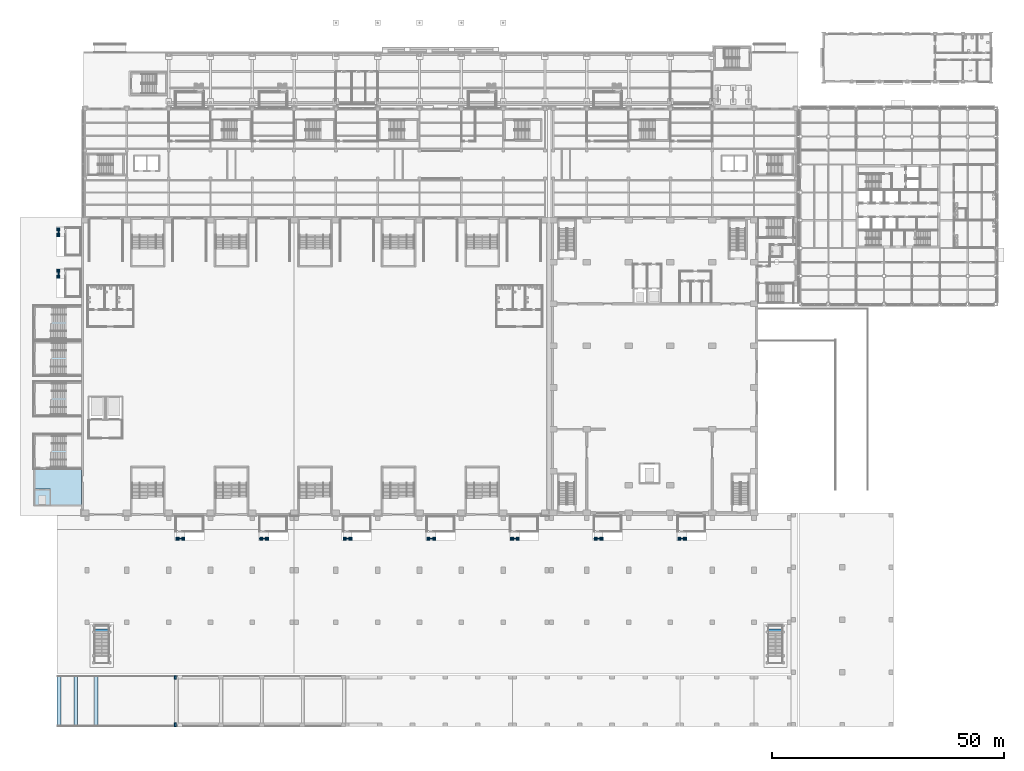
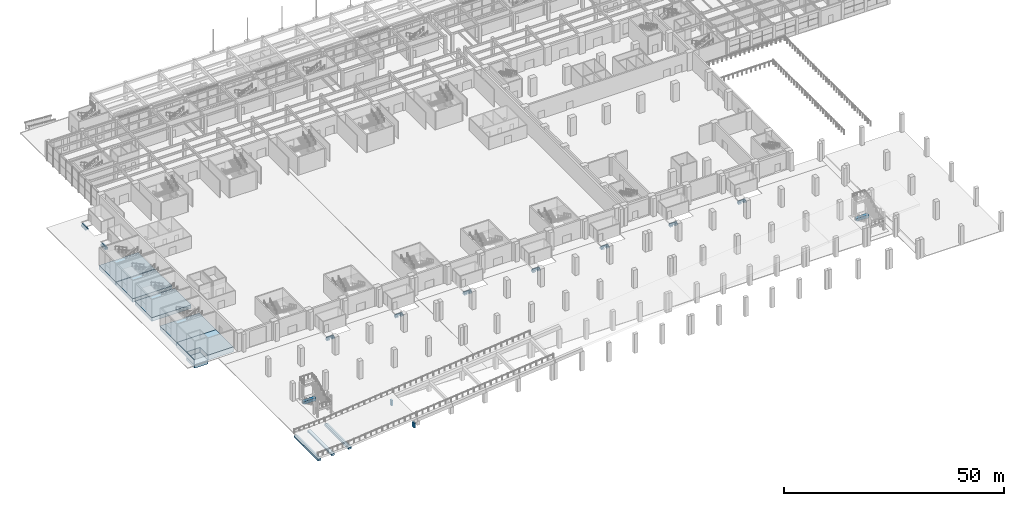
# One storey, part 1 of 77: 40 footings.
"""IFC4 building model written with IfcOpenShell, lengths in metres."""

from ifc_helpers import new_model, si_unit, direction, frame, origin, origin_2d, place, context, subcontext, project, spatial, polyline, rectangle, outline, extrude, material, layer, layer_set, type_object, element, save


model = new_model("IFC4")

# Units and contexts
model_context = context("Model", 3, precision=1e-05, world=origin(), true_north=direction((0.0, 1.0)))
body_context = subcontext(model_context, "Body", "Model", "MODEL_VIEW")
ifc_project = project(units=[si_unit("LENGTHUNIT", "METRE"), si_unit("AREAUNIT", "SQUARE_METRE"), si_unit("VOLUMEUNIT", "CUBIC_METRE"), si_unit("PLANEANGLEUNIT", "RADIAN"), si_unit("MASSUNIT", "GRAM", prefix="KILO")], contexts=[model_context])

# Site, building, storey
site_placement = place(None, origin())
site = spatial("IfcSite", under=ifc_project, at=site_placement, CompositionType="ELEMENT")
building_placement = place(site_placement, origin())
building = spatial("IfcBuilding", under=site, at=building_placement, Name="Aravalli Gate Trade Fair Centre", CompositionType="ELEMENT")
storey_placement = place(building_placement, origin())
storey = spatial("IfcBuildingStorey", under=building, at=storey_placement, Name="L00", CompositionType="ELEMENT", Elevation=0.0)

# Footings
ifc_material_1 = material(Name="Concrete M30", Category="concrete")
ifc_layer_1 = layer(ifc_material_1, 0.39990234375)
ifc_layer_set_1 = layer_set([ifc_layer_1], Name="Concrete M30")
footing_type_1 = type_object("IfcFootingType", Name="Basement exit apron edge beam 300", PredefinedType="FOOTING_BEAM", material=ifc_layer_set_1)
footing_1_placement = place(storey_placement, frame((0.0, 0.0, -0.60009765625)))
element("IfcFooting", 1, at=footing_1_placement, inside=storey, type_object=footing_type_1, Name="Basement stair W1 exit apron edge beam", PredefinedType="FOOTING_BEAM", context=body_context, shape_type="SweptSolid", body=[
    extrude(outline(polyline([(0.39990234375, 98.449951171875), (0.39990234375, 96.5), (0.10009765625, 96.5), (0.10009765625, 98.449951171875), (0.39990234375, 98.449951171875)])), origin(), (0.0, 0.0, 1.0), 0.400146484375),
])
footing_2_placement = place(storey_placement, frame((0.0, 0.0, -0.60009765625)))
element("IfcFooting", 2, at=footing_2_placement, inside=storey, type_object=footing_type_1, Name="Basement stair W2 exit apron edge beam", PredefinedType="FOOTING_BEAM", context=body_context, shape_type="SweptSolid", body=[
    extrude(outline(polyline([(0.39990234375, 107.39990234375), (0.39990234375, 105.449951171875), (0.10009765625, 105.449951171875), (0.10009765625, 107.39990234375), (0.39990234375, 107.39990234375)])), origin(), (0.0, 0.0, 1.0), 0.400146484375),
])
footing_3_placement = place(storey_placement, frame((0.0, 0.0, -0.60009765625)))
element("IfcFooting", 3, at=footing_3_placement, inside=storey, type_object=footing_type_1, Name="Basement stair S1 exit apron edge beam", PredefinedType="FOOTING_BEAM", context=body_context, shape_type="SweptSolid", body=[
    extrude(outline(polyline([(25.550048828125, 40.60009765625), (27.5, 40.60009765625), (27.5, 40.300048828125), (25.550048828125, 40.300048828125), (25.550048828125, 40.60009765625)])), origin(), (0.0, 0.0, 1.0), 0.400146484375),
])
footing_4_placement = place(storey_placement, frame((0.0, 0.0, -0.60009765625)))
element("IfcFooting", 4, at=footing_4_placement, inside=storey, type_object=footing_type_1, Name="Basement stair S2 exit apron edge beam", PredefinedType="FOOTING_BEAM", context=body_context, shape_type="SweptSolid", body=[
    extrude(outline(polyline([(43.550048828125, 40.60009765625), (45.5, 40.60009765625), (45.5, 40.300048828125), (43.550048828125, 40.300048828125), (43.550048828125, 40.60009765625)])), origin(), (0.0, 0.0, 1.0), 0.400146484375),
])
footing_5_placement = place(storey_placement, frame((0.0, 0.0, -0.60009765625)))
element("IfcFooting", 5, at=footing_5_placement, inside=storey, type_object=footing_type_1, Name="Basement stair S3 exit apron edge beam", PredefinedType="FOOTING_BEAM", context=body_context, shape_type="SweptSolid", body=[
    extrude(outline(polyline([(61.550048828125, 40.60009765625), (63.5, 40.60009765625), (63.5, 40.300048828125), (61.550048828125, 40.300048828125), (61.550048828125, 40.60009765625)])), origin(), (0.0, 0.0, 1.0), 0.400146484375),
])
footing_6_placement = place(storey_placement, frame((0.0, 0.0, -0.60009765625)))
element("IfcFooting", 6, at=footing_6_placement, inside=storey, type_object=footing_type_1, Name="Basement stair S4 exit apron edge beam", PredefinedType="FOOTING_BEAM", context=body_context, shape_type="SweptSolid", body=[
    extrude(outline(polyline([(79.550048828125, 40.60009765625), (81.5, 40.60009765625), (81.5, 40.300048828125), (79.550048828125, 40.300048828125), (79.550048828125, 40.60009765625)])), origin(), (0.0, 0.0, 1.0), 0.400146484375),
])
footing_7_placement = place(storey_placement, frame((0.0, 0.0, -0.60009765625)))
element("IfcFooting", 7, at=footing_7_placement, inside=storey, type_object=footing_type_1, Name="Basement stair S5 exit apron edge beam", PredefinedType="FOOTING_BEAM", context=body_context, shape_type="SweptSolid", body=[
    extrude(outline(polyline([(97.550048828125, 40.60009765625), (99.5, 40.60009765625), (99.5, 40.300048828125), (97.550048828125, 40.300048828125), (97.550048828125, 40.60009765625)])), origin(), (0.0, 0.0, 1.0), 0.400146484375),
])
footing_8_placement = place(storey_placement, frame((0.0, 0.0, -0.60009765625)))
element("IfcFooting", 8, at=footing_8_placement, inside=storey, type_object=footing_type_1, Name="Basement stair S6 exit apron edge beam", PredefinedType="FOOTING_BEAM", context=body_context, shape_type="SweptSolid", body=[
    extrude(outline(polyline([(115.550048828125, 40.60009765625), (117.5, 40.60009765625), (117.5, 40.300048828125), (115.550048828125, 40.300048828125), (115.550048828125, 40.60009765625)])), origin(), (0.0, 0.0, 1.0), 0.400146484375),
])
footing_9_placement = place(storey_placement, frame((0.0, 0.0, -0.60009765625)))
element("IfcFooting", 9, at=footing_9_placement, inside=storey, type_object=footing_type_1, Name="Basement stair S7 exit apron edge beam", PredefinedType="FOOTING_BEAM", context=body_context, shape_type="SweptSolid", body=[
    extrude(outline(polyline([(133.550048828125, 40.60009765625), (135.5, 40.60009765625), (135.5, 40.300048828125), (133.550048828125, 40.300048828125), (133.550048828125, 40.60009765625)])), origin(), (0.0, 0.0, 1.0), 0.400146484375),
])
footing_type_2 = type_object("IfcFootingType", Name="Basement exit apron pad 800", PredefinedType="PAD_FOOTING", material=ifc_material_1)
footing_10_placement = place(storey_placement, frame((0.0, 0.0, -1.0)))
element("IfcFooting", 10, at=footing_10_placement, inside=storey, type_object=footing_type_2, Name="Basement stair W1 exit apron pad a", PredefinedType="PAD_FOOTING", context=body_context, shape_type="SweptSolid", body=[
    extrude(outline(polyline([(0.64990234375, 98.5), (0.64990234375, 97.699951171875), (-0.14990234375, 97.699951171875), (-0.14990234375, 98.5), (0.64990234375, 98.5)])), origin(), (0.0, 0.0, 1.0), 0.39990234375),
])
footing_11_placement = place(storey_placement, frame((0.0, 0.0, -1.0)))
element("IfcFooting", 11, at=footing_11_placement, inside=storey, type_object=footing_type_2, Name="Basement stair W1 exit apron pad b", PredefinedType="PAD_FOOTING", context=body_context, shape_type="SweptSolid", body=[
    extrude(outline(polyline([(0.64990234375, 97.25), (0.64990234375, 96.449951171875), (-0.14990234375, 96.449951171875), (-0.14990234375, 97.25), (0.64990234375, 97.25)])), origin(), (0.0, 0.0, 1.0), 0.39990234375),
])
footing_12_placement = place(storey_placement, frame((0.0, 0.0, -1.0)))
element("IfcFooting", 12, at=footing_12_placement, inside=storey, type_object=footing_type_2, Name="Basement stair W2 exit apron pad a", PredefinedType="PAD_FOOTING", context=body_context, shape_type="SweptSolid", body=[
    extrude(outline(polyline([(0.64990234375, 107.449951171875), (0.64990234375, 106.64990234375), (-0.14990234375, 106.64990234375), (-0.14990234375, 107.449951171875), (0.64990234375, 107.449951171875)])), origin(), (0.0, 0.0, 1.0), 0.39990234375),
])
footing_13_placement = place(storey_placement, frame((0.0, 0.0, -1.0)))
element("IfcFooting", 13, at=footing_13_placement, inside=storey, type_object=footing_type_2, Name="Basement stair W2 exit apron pad b", PredefinedType="PAD_FOOTING", context=body_context, shape_type="SweptSolid", body=[
    extrude(outline(polyline([(0.64990234375, 106.199951171875), (0.64990234375, 105.39990234375), (-0.14990234375, 105.39990234375), (-0.14990234375, 106.199951171875), (0.64990234375, 106.199951171875)])), origin(), (0.0, 0.0, 1.0), 0.39990234375),
])
footing_14_placement = place(storey_placement, frame((0.0, 0.0, -1.0)))
element("IfcFooting", 14, at=footing_14_placement, inside=storey, type_object=footing_type_2, Name="Basement stair S1 exit apron pad a", PredefinedType="PAD_FOOTING", context=body_context, shape_type="SweptSolid", body=[
    extrude(outline(polyline([(25.5, 40.85009765625), (26.300048828125, 40.85009765625), (26.300048828125, 40.050048828125), (25.5, 40.050048828125), (25.5, 40.85009765625)])), origin(), (0.0, 0.0, 1.0), 0.39990234375),
])
footing_15_placement = place(storey_placement, frame((0.0, 0.0, -1.0)))
element("IfcFooting", 15, at=footing_15_placement, inside=storey, type_object=footing_type_2, Name="Basement stair S1 exit apron pad b", PredefinedType="PAD_FOOTING", context=body_context, shape_type="SweptSolid", body=[
    extrude(outline(polyline([(26.75, 40.85009765625), (27.550048828125, 40.85009765625), (27.550048828125, 40.050048828125), (26.75, 40.050048828125), (26.75, 40.85009765625)])), origin(), (0.0, 0.0, 1.0), 0.39990234375),
])
footing_16_placement = place(storey_placement, frame((0.0, 0.0, -1.0)))
element("IfcFooting", 16, at=footing_16_placement, inside=storey, type_object=footing_type_2, Name="Basement stair S2 exit apron pad a", PredefinedType="PAD_FOOTING", context=body_context, shape_type="SweptSolid", body=[
    extrude(outline(polyline([(43.5, 40.85009765625), (44.300048828125, 40.85009765625), (44.300048828125, 40.050048828125), (43.5, 40.050048828125), (43.5, 40.85009765625)])), origin(), (0.0, 0.0, 1.0), 0.39990234375),
])
footing_17_placement = place(storey_placement, frame((0.0, 0.0, -1.0)))
element("IfcFooting", 17, at=footing_17_placement, inside=storey, type_object=footing_type_2, Name="Basement stair S2 exit apron pad b", PredefinedType="PAD_FOOTING", context=body_context, shape_type="SweptSolid", body=[
    extrude(outline(polyline([(44.75, 40.85009765625), (45.550048828125, 40.85009765625), (45.550048828125, 40.050048828125), (44.75, 40.050048828125), (44.75, 40.85009765625)])), origin(), (0.0, 0.0, 1.0), 0.39990234375),
])
footing_18_placement = place(storey_placement, frame((0.0, 0.0, -1.0)))
element("IfcFooting", 18, at=footing_18_placement, inside=storey, type_object=footing_type_2, Name="Basement stair S3 exit apron pad a", PredefinedType="PAD_FOOTING", context=body_context, shape_type="SweptSolid", body=[
    extrude(outline(polyline([(61.5, 40.85009765625), (62.300048828125, 40.85009765625), (62.300048828125, 40.050048828125), (61.5, 40.050048828125), (61.5, 40.85009765625)])), origin(), (0.0, 0.0, 1.0), 0.39990234375),
])
footing_19_placement = place(storey_placement, frame((0.0, 0.0, -1.0)))
element("IfcFooting", 19, at=footing_19_placement, inside=storey, type_object=footing_type_2, Name="Basement stair S3 exit apron pad b", PredefinedType="PAD_FOOTING", context=body_context, shape_type="SweptSolid", body=[
    extrude(outline(polyline([(62.75, 40.85009765625), (63.550048828125, 40.85009765625), (63.550048828125, 40.050048828125), (62.75, 40.050048828125), (62.75, 40.85009765625)])), origin(), (0.0, 0.0, 1.0), 0.39990234375),
])
footing_20_placement = place(storey_placement, frame((0.0, 0.0, -1.0)))
element("IfcFooting", 20, at=footing_20_placement, inside=storey, type_object=footing_type_2, Name="Basement stair S4 exit apron pad a", PredefinedType="PAD_FOOTING", context=body_context, shape_type="SweptSolid", body=[
    extrude(outline(polyline([(79.5, 40.85009765625), (80.300048828125, 40.85009765625), (80.300048828125, 40.050048828125), (79.5, 40.050048828125), (79.5, 40.85009765625)])), origin(), (0.0, 0.0, 1.0), 0.39990234375),
])
footing_21_placement = place(storey_placement, frame((0.0, 0.0, -1.0)))
element("IfcFooting", 21, at=footing_21_placement, inside=storey, type_object=footing_type_2, Name="Basement stair S4 exit apron pad b", PredefinedType="PAD_FOOTING", context=body_context, shape_type="SweptSolid", body=[
    extrude(outline(polyline([(80.75, 40.85009765625), (81.550048828125, 40.85009765625), (81.550048828125, 40.050048828125), (80.75, 40.050048828125), (80.75, 40.85009765625)])), origin(), (0.0, 0.0, 1.0), 0.39990234375),
])
footing_22_placement = place(storey_placement, frame((0.0, 0.0, -1.0)))
element("IfcFooting", 22, at=footing_22_placement, inside=storey, type_object=footing_type_2, Name="Basement stair S5 exit apron pad a", PredefinedType="PAD_FOOTING", context=body_context, shape_type="SweptSolid", body=[
    extrude(outline(polyline([(97.5, 40.85009765625), (98.300048828125, 40.85009765625), (98.300048828125, 40.050048828125), (97.5, 40.050048828125), (97.5, 40.85009765625)])), origin(), (0.0, 0.0, 1.0), 0.39990234375),
])
footing_23_placement = place(storey_placement, frame((0.0, 0.0, -1.0)))
element("IfcFooting", 23, at=footing_23_placement, inside=storey, type_object=footing_type_2, Name="Basement stair S5 exit apron pad b", PredefinedType="PAD_FOOTING", context=body_context, shape_type="SweptSolid", body=[
    extrude(outline(polyline([(98.75, 40.85009765625), (99.550048828125, 40.85009765625), (99.550048828125, 40.050048828125), (98.75, 40.050048828125), (98.75, 40.85009765625)])), origin(), (0.0, 0.0, 1.0), 0.39990234375),
])
footing_24_placement = place(storey_placement, frame((0.0, 0.0, -1.0)))
element("IfcFooting", 24, at=footing_24_placement, inside=storey, type_object=footing_type_2, Name="Basement stair S6 exit apron pad a", PredefinedType="PAD_FOOTING", context=body_context, shape_type="SweptSolid", body=[
    extrude(outline(polyline([(115.5, 40.85009765625), (116.300048828125, 40.85009765625), (116.300048828125, 40.050048828125), (115.5, 40.050048828125), (115.5, 40.85009765625)])), origin(), (0.0, 0.0, 1.0), 0.39990234375),
])
footing_25_placement = place(storey_placement, frame((0.0, 0.0, -1.0)))
element("IfcFooting", 25, at=footing_25_placement, inside=storey, type_object=footing_type_2, Name="Basement stair S6 exit apron pad b", PredefinedType="PAD_FOOTING", context=body_context, shape_type="SweptSolid", body=[
    extrude(outline(polyline([(116.75, 40.85009765625), (117.550048828125, 40.85009765625), (117.550048828125, 40.050048828125), (116.75, 40.050048828125), (116.75, 40.85009765625)])), origin(), (0.0, 0.0, 1.0), 0.39990234375),
])
footing_26_placement = place(storey_placement, frame((0.0, 0.0, -1.0)))
element("IfcFooting", 26, at=footing_26_placement, inside=storey, type_object=footing_type_2, Name="Basement stair S7 exit apron pad a", PredefinedType="PAD_FOOTING", context=body_context, shape_type="SweptSolid", body=[
    extrude(outline(polyline([(133.5, 40.85009765625), (134.300048828125, 40.85009765625), (134.300048828125, 40.050048828125), (133.5, 40.050048828125), (133.5, 40.85009765625)])), origin(), (0.0, 0.0, 1.0), 0.39990234375),
])
footing_27_placement = place(storey_placement, frame((0.0, 0.0, -1.0)))
element("IfcFooting", 27, at=footing_27_placement, inside=storey, type_object=footing_type_2, Name="Basement stair S7 exit apron pad b", PredefinedType="PAD_FOOTING", context=body_context, shape_type="SweptSolid", body=[
    extrude(outline(polyline([(134.75, 40.85009765625), (135.550048828125, 40.85009765625), (135.550048828125, 40.050048828125), (134.75, 40.050048828125), (134.75, 40.85009765625)])), origin(), (0.0, 0.0, 1.0), 0.39990234375),
])
ifc_material_2 = material(Name="Concrete M40", Category="concrete")
ifc_layer_2 = layer(ifc_material_2, 1.39990234375)
ifc_layer_set_2 = layer_set([ifc_layer_2], Name="Concrete M40")
footing_type_3 = type_object("IfcFootingType", Name="Firefighting block raft RC 1400", PredefinedType="PAD_FOOTING", material=ifc_layer_set_2)
footing_28_placement = place(storey_placement, frame((0.0, 0.0, -1.39990234375)))
element("IfcFooting", 28, at=footing_28_placement, inside=storey, type_object=footing_type_3, Name="Firefighting block raft footing", PredefinedType="PAD_FOOTING", context=body_context, shape_type="SweptSolid", body=[
    extrude(outline(polyline([(-5.10009765625, 47.5), (-5.10009765625, 55.39990234375), (5.199951171875, 55.39990234375), (5.199951171875, 47.5), (-1.39990234375, 47.5), (-1.39990234375, 51.10009765625), (-5.0, 51.10009765625), (-5.0, 47.5), (-5.10009765625, 47.5)])), origin(), (0.0, 0.0, 1.0), 1.39990234375),
])
ifc_layer_3 = layer(ifc_material_2, 1.0)
ifc_layer_set_3 = layer_set([ifc_layer_3], Name="Concrete M40")
footing_type_4 = type_object("IfcFootingType", Name="Firefighting lift pit raft RC 1000", PredefinedType="PAD_FOOTING", material=ifc_layer_set_3)
footing_29_placement = place(storey_placement, frame((0.0, 0.0, -2.39990234375)))
element("IfcFooting", 29, at=footing_29_placement, inside=storey, type_object=footing_type_4, Name="Firefighting lift pit raft", PredefinedType="PAD_FOOTING", context=body_context, shape_type="SweptSolid", body=[
    extrude(outline(polyline([(-5.0, 47.5), (-1.39990234375, 47.5), (-1.39990234375, 51.10009765625), (-5.0, 51.10009765625), (-5.0, 47.5)])), origin(), (0.0, 0.0, 1.0), 1.0),
])
footing_type_5 = type_object("IfcFootingType", Name="Ramp end pad RC 400 x 800", PredefinedType="PAD_FOOTING", material=ifc_material_2)
for number, where, z_axis, x_axis, name in (
    (30, (25.3798828125, 0.39990234375, -0.7998046875), (0.0, 0.0, 1.0), (1.0, 0.0, 0.0), "Ramp end pad RA1-F2.1 ES"),
    (31, (25.3798828125, 10.60009765625, -0.7998046875), (0.0, 0.0, 1.0), (1.0, 0.0, 0.0), "Ramp end pad RA1-F2.1 EN"),
):
    element("IfcFooting", number, at=place(storey_placement, frame(where, z_axis=z_axis, x_axis=x_axis)), inside=storey, type_object=footing_type_5, Name=name, PredefinedType="PAD_FOOTING", context=body_context, shape_type="SweptSolid", body=[
        extrude(rectangle(XDim=0.39990234375, YDim=0.800048828125, at=origin_2d()), origin(), (0.0, 0.0, 1.0), 1.410400390625),
    ])
footing_type_6 = type_object("IfcFootingType", Name="Ramp plinth footing RC 800 x 500", PredefinedType="STRIP_FOOTING", material=ifc_material_2)
for number, where, z_axis, x_axis, name in (
    (32, (0.39990234375, 5.5, -1.1005859375), (0.0, 0.0, 1.0), (1.0, 0.0, 0.0), "Ramp plinth RA1-F1 W"),
    (33, (3.989990234375, 5.5, -0.921142578125), (0.0, 0.0, 1.0), (1.0, 0.0, 0.0), "Ramp plinth RA1-F1 M"),
    (34, (8.419921875, 5.5, -0.700927734375), (0.0, 0.0, 1.0), (1.0, 0.0, 0.0), "Ramp plinth RA1-F2.1 W"),
):
    element("IfcFooting", number, at=place(storey_placement, frame(where, z_axis=z_axis, x_axis=x_axis)), inside=storey, type_object=footing_type_6, Name=name, PredefinedType="STRIP_FOOTING", context=body_context, shape_type="SweptSolid", body=[
        extrude(rectangle(XDim=0.800048828125, YDim=11.0, at=origin_2d()), origin(), (0.0, 0.0, 1.0), 0.5),
    ])
for number, where, z_axis, x_axis, name in (
    (35, (9.60009765625, 20.60009765625, -0.4501953125), (0.0, 0.0, 1.0), (1.0, 0.0, 0.0), "Stair 1 foot plinth"),
    (36, (154.60009765625, 20.60009765625, -0.4501953125), (0.0, 0.0, 1.0), (1.0, 0.0, 0.0), "Stair 2 foot plinth"),
):
    element("IfcFooting", number, at=place(storey_placement, frame(where, z_axis=z_axis, x_axis=x_axis)), inside=storey, type_object=footing_type_6, Name=name, PredefinedType="STRIP_FOOTING", context=body_context, shape_type="SweptSolid", body=[
        extrude(rectangle(XDim=3.199951171875, YDim=0.800048828125, at=origin_2d()), origin(), (0.0, 0.0, 1.0), 0.800048828125),
    ])
ifc_layer_4 = layer(ifc_material_2, 1.0)
ifc_layer_set_4 = layer_set([ifc_layer_4], Name="Concrete M40")
footing_type_7 = type_object("IfcFootingType", Name="Tower raft footing RC 1000", PredefinedType="PAD_FOOTING", material=ifc_layer_set_4)
footing_30_placement = place(storey_placement, frame((0.0, 0.0, -1.0)))
element("IfcFooting", 37, at=footing_30_placement, inside=storey, type_object=footing_type_7, Name="Stair tower W1 raft footing", PredefinedType="PAD_FOOTING", context=body_context, shape_type="SweptSolid", body=[
    extrude(outline(polyline([(5.199951171875, 55.39990234375), (5.199951171875, 63.0), (-5.10009765625, 63.0), (-5.10009765625, 55.39990234375), (5.199951171875, 55.39990234375)])), origin(), (0.0, 0.0, 1.0), 1.0),
])
footing_31_placement = place(storey_placement, frame((0.0, 0.0, -1.0)))
element("IfcFooting", 38, at=footing_31_placement, inside=storey, type_object=footing_type_7, Name="Stair tower W2 raft footing", PredefinedType="PAD_FOOTING", context=body_context, shape_type="SweptSolid", body=[
    extrude(outline(polyline([(5.199951171875, 75.39990234375), (5.199951171875, 83.0), (-5.10009765625, 83.0), (-5.10009765625, 75.39990234375), (5.199951171875, 75.39990234375)])), origin(), (0.0, 0.0, 1.0), 1.0),
])
footing_32_placement = place(storey_placement, frame((0.0, 0.0, -1.0)))
element("IfcFooting", 39, at=footing_32_placement, inside=storey, type_object=footing_type_7, Name="Stair tower W4 raft footing", PredefinedType="PAD_FOOTING", context=body_context, shape_type="SweptSolid", body=[
    extrude(outline(polyline([(5.199951171875, 66.699951171875), (5.199951171875, 74.300048828125), (-5.10009765625, 74.300048828125), (-5.10009765625, 66.699951171875), (5.199951171875, 66.699951171875)])), origin(), (0.0, 0.0, 1.0), 1.0),
])
footing_33_placement = place(storey_placement, frame((0.0, 0.0, -1.0)))
element("IfcFooting", 40, at=footing_33_placement, inside=storey, type_object=footing_type_7, Name="Stair tower W5 raft footing", PredefinedType="PAD_FOOTING", context=body_context, shape_type="SweptSolid", body=[
    extrude(outline(polyline([(5.199951171875, 83.10009765625), (5.199951171875, 90.699951171875), (-5.10009765625, 90.699951171875), (-5.10009765625, 83.10009765625), (5.199951171875, 83.10009765625)])), origin(), (0.0, 0.0, 1.0), 1.0),
])

save(model, "model.ifc")
